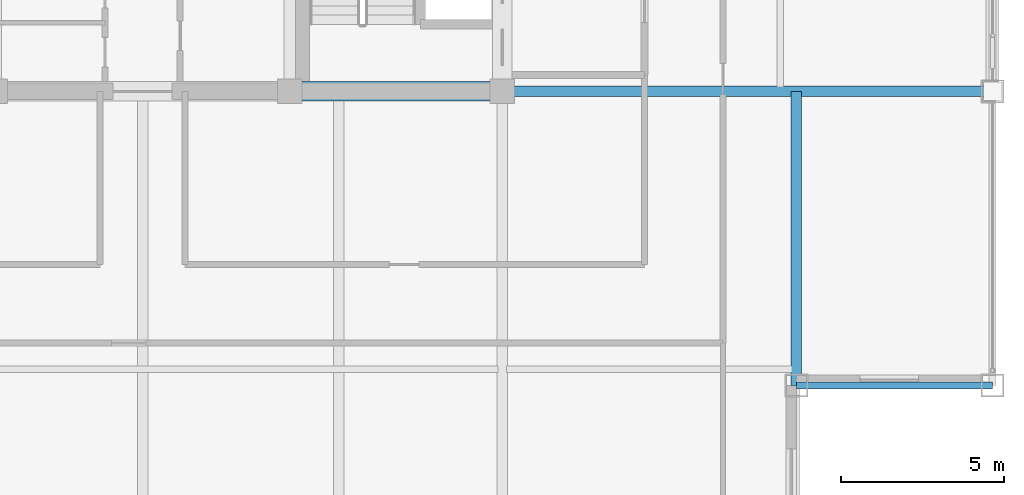
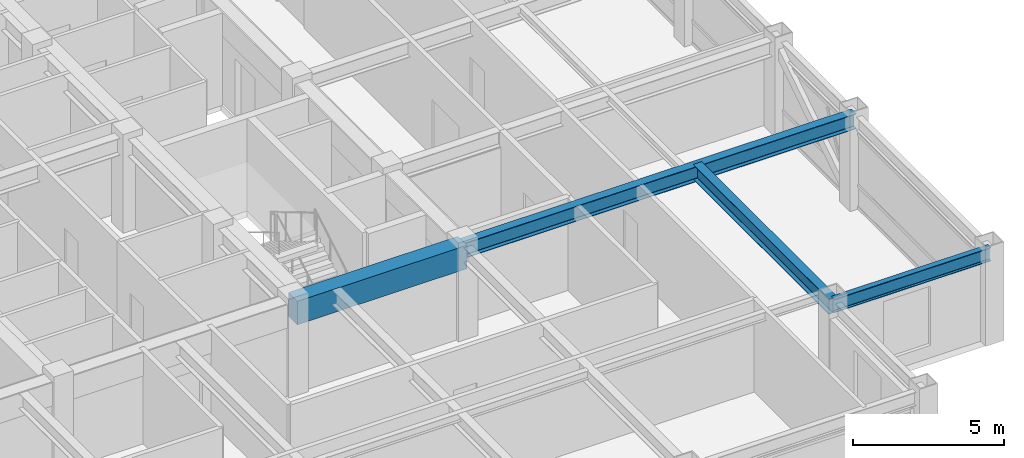
# One storey, part 9 of 29: 4 beams.
"""IFC4 building model written with IfcOpenShell, lengths in metres."""

from ifc_helpers import new_model, si_unit, direction, frame, origin, origin_2d, place, context, subcontext, project, spatial, rectangle, i_section, extrude, source, transform, mapped, material, material_profile, profile_set, type_object, element, save


model = new_model("IFC4")

# Units and contexts
model_context = context("Model", 3, precision=1e-05, world=origin(), true_north=direction((0.0, 1.0)))
body_context = subcontext(model_context, "Body", "Model", "MODEL_VIEW")
ifc_project = project(units=[si_unit("LENGTHUNIT", "METRE"), si_unit("AREAUNIT", "SQUARE_METRE"), si_unit("VOLUMEUNIT", "CUBIC_METRE"), si_unit("PLANEANGLEUNIT", "RADIAN"), si_unit("MASSUNIT", "GRAM", prefix="KILO")], contexts=[model_context])

# Site, building, storey
site_placement = place(None, origin())
site = spatial("IfcSite", under=ifc_project, at=site_placement, CompositionType="ELEMENT")
building_placement = place(site_placement, origin())
building = spatial("IfcBuilding", under=site, at=building_placement, Name="Khorayat Bourse Tower", CompositionType="ELEMENT")
storey_placement = place(building_placement, frame((0.0, 0.0, 358.300048828125)))
storey = spatial("IfcBuildingStorey", under=building, at=storey_placement, Name="L85", CompositionType="ELEMENT", Elevation=358.300048828125)

# Beams
ifc_material_1 = material(Name="Concrete C60/75", Category="concrete")
ifc_material_profile_1 = material_profile(ifc_material_1, rectangle(XDim=0.60009765625, YDim=0.949951171875, at=origin_2d()), Name="RC 600x950")
ifc_profile_set_1 = profile_set([ifc_material_profile_1], Name="Concrete C60/75")
beam_type_1 = type_object("IfcBeamType", Name="BM-COUP-950", PredefinedType="BEAM", material=ifc_profile_set_1)
shared_shape_1 = source(origin(), body_context, "Body", "SweptSolid", [
    extrude(rectangle(XDim=0.60009765625, YDim=0.949951171875, at=origin_2d()), origin(), (0.0, 0.0, 1.0), 6.5),
])
beam_1_placement = place(storey_placement, frame((4.5, -11.0, 3.264892578125), z_axis=(1.0, 0.0, 0.0), x_axis=(0.0, 1.0, 0.0)))
element("IfcBeam", 1, at=beam_1_placement, inside=storey, type_object=beam_type_1, Name="L85 BM-COUP-950 BM-L85-CRY-19", PredefinedType="BEAM", context=body_context, shape_type="MappedRepresentation", body=[
    mapped(shared_shape_1, transform((0.0, 0.0, 0.0), scale=1.0)),
])
ifc_material_2 = material(Name="Steel ASTM A992 Grade 50", Category="steel")
ifc_material_profile_2 = material_profile(ifc_material_2, i_section(OverallWidth=0.214111328125, OverallDepth=0.549072265625, WebThickness=0.0146484375, FlangeThickness=0.023681640625, FilletRadius=0.013916015625, at=origin_2d()), Name="W530X138")
ifc_profile_set_2 = profile_set([ifc_material_profile_2], Name="Steel ASTM A992 Grade 50")
beam_type_2 = type_object("IfcBeamType", Name="BM-SPAN-530", PredefinedType="SPANDREL", material=ifc_profile_set_2)
shared_shape_2 = source(origin(), body_context, "Body", "SweptSolid", [
    extrude(i_section(OverallWidth=0.214111328125, OverallDepth=0.549072265625, WebThickness=0.0146484375, FlangeThickness=0.023681640625, FilletRadius=0.013916015625, at=origin_2d()), origin(), (0.0, 0.0, 1.0), 6.0),
])
beam_2_placement = place(storey_placement, frame((20.0, -20.0, 3.46533203125), z_axis=(1.0, 0.0, 0.0), x_axis=(0.0, 1.0, 0.0)))
element("IfcBeam", 2, at=beam_2_placement, inside=storey, type_object=beam_type_2, Name="L85 BM-SPAN-530 BM-L85-SPN-031", PredefinedType="SPANDREL", context=body_context, shape_type="MappedRepresentation", body=[
    mapped(shared_shape_2, transform((0.0, 0.0, 0.0), scale=1.0)),
])
ifc_material_profile_3 = material_profile(ifc_material_2, i_section(OverallWidth=0.324951171875, OverallDepth=0.615966796875, WebThickness=0.013916015625, FlangeThickness=0.021484375, FilletRadius=0.01611328125, at=origin_2d()), Name="W610X174")
ifc_profile_set_3 = profile_set([ifc_material_profile_3], Name="Steel ASTM A992 Grade 50")
beam_type_3 = type_object("IfcBeamType", Name="BM-GIRD-610", PredefinedType="BEAM", material=ifc_profile_set_3)
shared_shape_3 = source(origin(), body_context, "Body", "SweptSolid", [
    extrude(i_section(OverallWidth=0.324951171875, OverallDepth=0.615966796875, WebThickness=0.013916015625, FlangeThickness=0.021484375, FilletRadius=0.01611328125, at=origin_2d()), origin(), (0.0, 0.0, 1.0), 15.0),
])
beam_3_placement = place(storey_placement, frame((11.0, -11.0, 3.431884765625), z_axis=(1.0, 0.0, 0.0), x_axis=(0.0, 1.0, 0.0)))
element("IfcBeam", 3, at=beam_3_placement, inside=storey, type_object=beam_type_3, Name="L85 BM-GIRD-610 BM-L85-RADX-066", PredefinedType="BEAM", context=body_context, shape_type="MappedRepresentation", body=[
    mapped(shared_shape_3, transform((0.0, 0.0, 0.0), scale=1.0)),
])
shared_shape_4 = source(origin(), body_context, "Body", "SweptSolid", [
    extrude(i_section(OverallWidth=0.324951171875, OverallDepth=0.615966796875, WebThickness=0.013916015625, FlangeThickness=0.021484375, FilletRadius=0.01611328125, at=origin_2d()), origin(), (0.0, 0.0, 1.0), 9.0),
])
beam_4_placement = place(storey_placement, frame((20.0, -20.0, 3.431884765625), z_axis=(0.0, 1.0, 0.0), x_axis=(-1.0, 0.0, 0.0)))
element("IfcBeam", 4, at=beam_4_placement, inside=storey, type_object=beam_type_3, Name="L85 BM-GIRD-610 BM-L85-CNRY-078", PredefinedType="BEAM", context=body_context, shape_type="MappedRepresentation", body=[
    mapped(shared_shape_4, transform((0.0, 0.0, 0.0), scale=1.0)),
])

save(model, "model.ifc")
